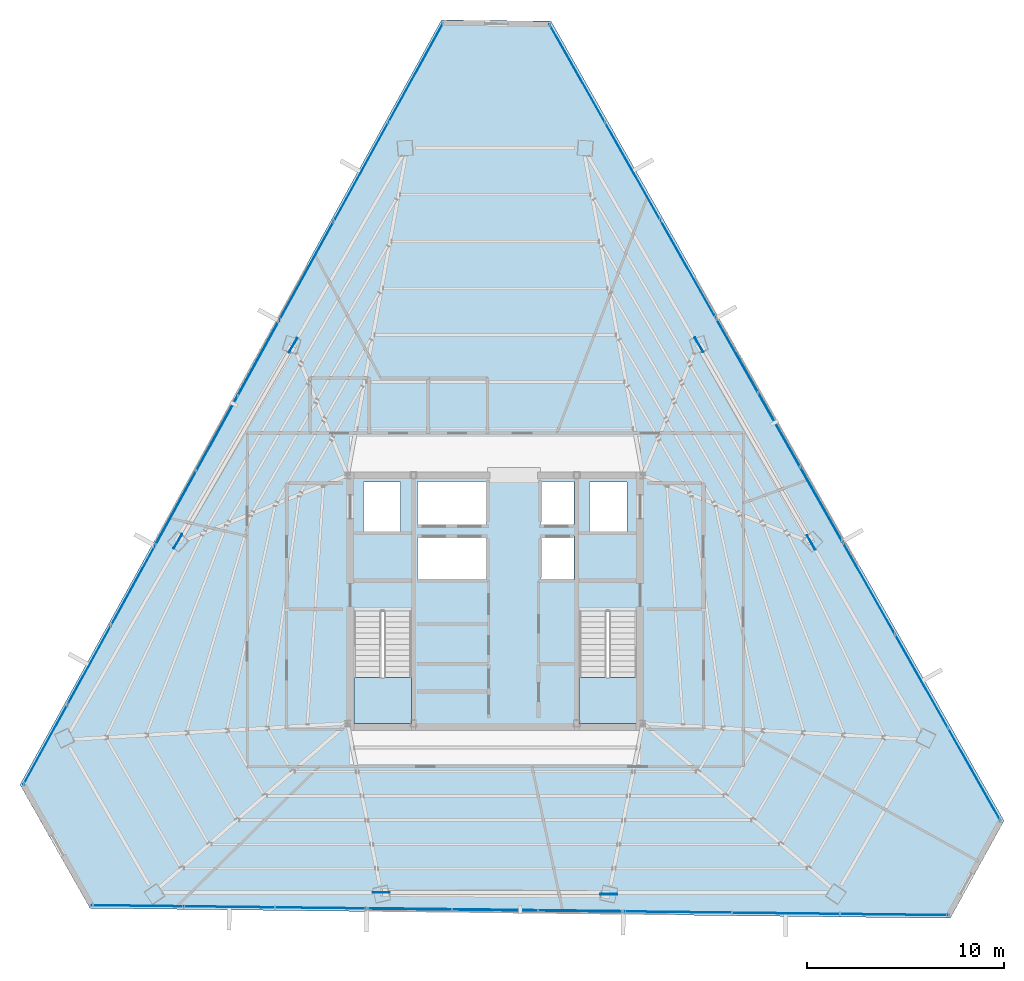
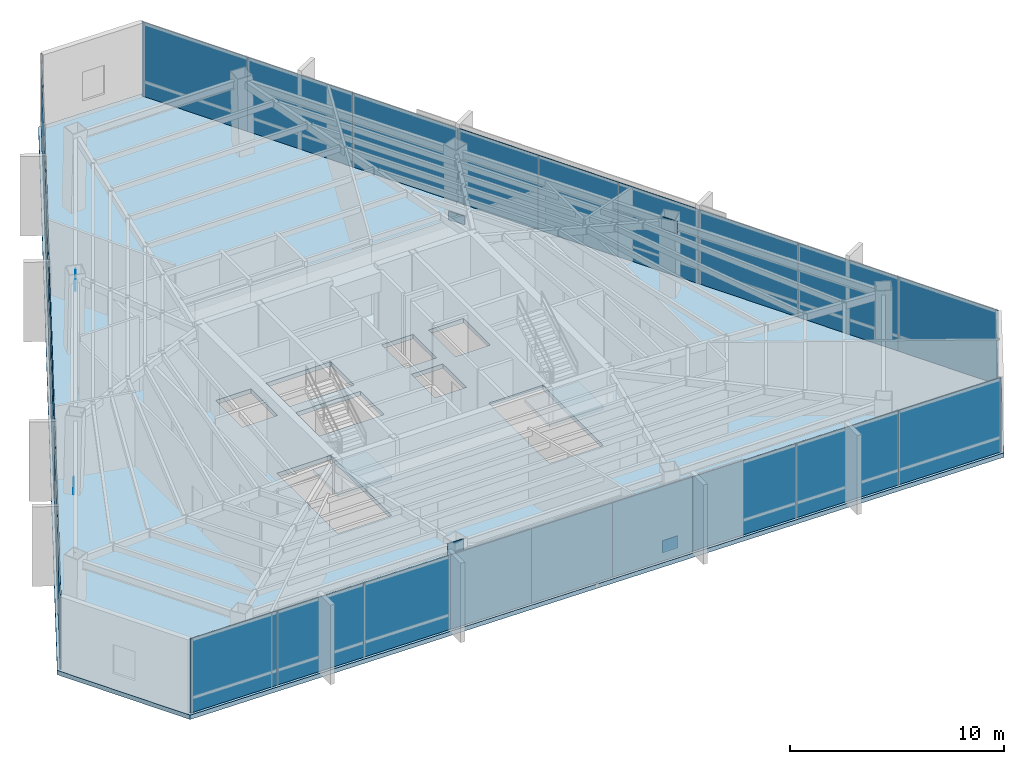
# One storey, part 28 of 37: 33 plates, 3 slabs, 11 elements without a shape of their own.
"""IFC4 building model written with IfcOpenShell, lengths in metres."""

import ifcopenshell
import ifcopenshell.guid

model = None  # the IFC model being written
_history = None  # IfcOwnerHistory: only IFC2X3 demands one
_inside = {}  # id of a spatial element -> (the spatial element, [elements in it])
_under = {}  # id of a project, library or spatial element -> (it, [spatial elements below it])
_declared = {}  # id of a project -> (the project, [libraries it declares])
_typed = {}  # id of a type object -> (the type object, [elements of that type])
_made_of = {}  # id of a material, layer set ... -> (it, [elements and type objects made of it])


def new_model(schema):
    """Start an empty IFC model of exactly this schema.

    Asked for "IFC4X3", IfcOpenShell would pick the latest addendum, in which some entities
    have other attributes; the version numbers below select the first issue.
    IFC2X3 requires an IfcOwnerHistory on every rooted entity: one is made here for all.
    """
    global model, _history
    if schema == "IFC4X3":
        model = ifcopenshell.file(schema_version=(4, 3, 0, 0))
    else:
        model = ifcopenshell.file(schema=schema)
    _inside.clear()
    _under.clear()
    _declared.clear()
    _typed.clear()
    _made_of.clear()
    _history = None
    if model.schema == "IFC2X3":
        org = make("IfcOrganization", Name="unknown")
        user = make(
            "IfcPersonAndOrganization",
            ThePerson=make("IfcPerson", FamilyName="unknown"),
            TheOrganization=org,
        )
        app = make(
            "IfcApplication",
            ApplicationDeveloper=org,
            Version="unknown",
            ApplicationFullName="unknown",
            ApplicationIdentifier="unknown",
        )
        _history = make(
            "IfcOwnerHistory",
            OwningUser=user,
            OwningApplication=app,
            ChangeAction="ADDED",
            CreationDate=0,
        )
    return model


def make(cls, **values):
    """One entity of the class cls with the attributes given. An attribute that is None is left unset."""
    return model.create_entity(
        cls, **{name: value for name, value in values.items() if value is not None}
    )


def rooted(cls, **values):
    """An entity with a GlobalId (a new one), such as an element, a storey or a relation."""
    return make(cls, GlobalId=ifcopenshell.guid.new(), OwnerHistory=_history, **values)


def si_unit(unit_type, name, prefix=None):
    """IfcSIUnit, for example si_unit("LENGTHUNIT", "METRE", prefix="MILLI")."""
    return make("IfcSIUnit", UnitType=unit_type, Prefix=prefix, Name=name)


def assignment(units):
    """IfcUnitAssignment: the units of a project."""
    return None if units is None else make("IfcUnitAssignment", Units=units)


def point(xyz):
    """IfcCartesianPoint."""
    return None if xyz is None else make("IfcCartesianPoint", Coordinates=xyz)


def direction(xyz):
    """IfcDirection."""
    return None if xyz is None else make("IfcDirection", DirectionRatios=xyz)


def frame(location, z_axis=None, x_axis=None):
    """IfcAxis2Placement3D, a coordinate frame: its origin and axes. An axis left out is left unset."""
    return make(
        "IfcAxis2Placement3D",
        Location=point(location),
        Axis=direction(z_axis),
        RefDirection=direction(x_axis),
    )


def frame_2d(location, x_axis=None):
    """IfcAxis2Placement2D, a coordinate frame in the plane: its origin and x axis."""
    return make(
        "IfcAxis2Placement2D", Location=point(location), RefDirection=direction(x_axis)
    )


def origin():
    """The frame at (0, 0, 0) with its axes left unset."""
    return frame((0.0, 0.0, 0.0))


def origin_2d():
    """The frame at (0, 0) in the plane with its x axis left unset."""
    return frame_2d((0.0, 0.0))


def place(relative_to, where):
    """IfcLocalPlacement: puts the frame where relative to a parent placement (None: the world)."""
    return make(
        "IfcLocalPlacement", PlacementRelTo=relative_to, RelativePlacement=where
    )


def context(
    kind, dimensions, precision=None, world=None, true_north=None, identifier=None
):
    """IfcGeometricRepresentationContext, for example the 3D "Model" context."""
    return make(
        "IfcGeometricRepresentationContext",
        ContextIdentifier=identifier,
        ContextType=kind,
        CoordinateSpaceDimension=dimensions,
        Precision=precision,
        WorldCoordinateSystem=world,
        TrueNorth=true_north,
    )


def subcontext(parent, identifier, kind, view, scale=None):
    """IfcGeometricRepresentationSubContext, for example "Body" below "Model"."""
    return make(
        "IfcGeometricRepresentationSubContext",
        ContextIdentifier=identifier,
        ContextType=kind,
        ParentContext=parent,
        TargetScale=scale,
        TargetView=view,
    )


def project(units=None, contexts=None):
    """IfcProject with its units and contexts."""
    return rooted(
        "IfcProject",
        Name="project",
        RepresentationContexts=contexts,
        UnitsInContext=assignment(units),
    )


def spatial(cls, under=None, at=None, **own):
    """A site, building, storey or space (cls), placed at a placement, below another one or the project."""
    s = rooted(cls, ObjectPlacement=at, **own)
    if under is not None:
        _under.setdefault(under.id(), (under, []))[1].append(s)
    return s


def polyline(points):
    """IfcPolyline through the points."""
    return make("IfcPolyline", Points=[point(p) for p in points])


def profile(cls, at=None, kind="AREA", **sizes):
    """A parametric profile (cls). Its sizes go by their IFC names, for example OverallWidth=200.0."""
    return make(cls, ProfileType=kind, Position=at, **sizes)


def rectangle(**sizes):
    """IfcRectangleProfileDef."""
    return profile("IfcRectangleProfileDef", **sizes)


def outline(outer, holes=None, kind="AREA"):
    """IfcArbitraryClosedProfileDef: a profile drawn as a closed curve; with holes, ...WithVoids."""
    if holes is None:
        return make("IfcArbitraryClosedProfileDef", ProfileType=kind, OuterCurve=outer)
    return make(
        "IfcArbitraryProfileDefWithVoids",
        ProfileType=kind,
        OuterCurve=outer,
        InnerCurves=holes,
    )


def extrude(swept, where, along, depth):
    """IfcExtrudedAreaSolid: the profile swept, set in the frame where, extruded along a direction by depth."""
    return make(
        "IfcExtrudedAreaSolid",
        SweptArea=swept,
        Position=where,
        ExtrudedDirection=direction(along),
        Depth=depth,
    )


def shape(context_of_items, identifier, shape_type, items):
    """IfcShapeRepresentation: the items that make up one representation, for example the "Body"."""
    return make(
        "IfcShapeRepresentation",
        ContextOfItems=context_of_items,
        RepresentationIdentifier=identifier,
        RepresentationType=shape_type,
        Items=items,
    )


def source(mapping_origin, context_of_items, identifier, shape_type, items):
    """IfcRepresentationMap: a shape defined once, which mapped items show again and again."""
    return make(
        "IfcRepresentationMap",
        MappingOrigin=mapping_origin,
        MappedRepresentation=shape(context_of_items, identifier, shape_type, items),
    )


def transform(
    local_origin,
    x_axis=None,
    y_axis=None,
    z_axis=None,
    scale=None,
    scale2=None,
    scale3=None,
    uniform=True,
):
    """IfcCartesianTransformationOperator3D, or its non-uniform kind. x_axis, y_axis, z_axis: its Axis1, 2, 3."""
    if uniform:
        return make(
            "IfcCartesianTransformationOperator3D",
            Axis1=direction(x_axis),
            Axis2=direction(y_axis),
            LocalOrigin=point(local_origin),
            Scale=scale,
            Axis3=direction(z_axis),
        )
    return make(
        "IfcCartesianTransformationOperator3DnonUniform",
        Axis1=direction(x_axis),
        Axis2=direction(y_axis),
        LocalOrigin=point(local_origin),
        Scale=scale,
        Axis3=direction(z_axis),
        Scale2=scale2,
        Scale3=scale3,
    )


def mapped(mapping_source, mapping_target):
    """IfcMappedItem: shows the shape of a source again, moved by a transform."""
    return make(
        "IfcMappedItem", MappingSource=mapping_source, MappingTarget=mapping_target
    )


def material(Name=None, Category=None):
    """IfcMaterial."""
    return make("IfcMaterial", Name=Name, Category=Category)


def layer(
    of_material, thickness, ventilated=None, Name=None, Category=None, Priority=None
):
    """IfcMaterialLayer: one layer of a wall or slab, of a material (None: an air gap)."""
    return make(
        "IfcMaterialLayer",
        Material=of_material,
        LayerThickness=thickness,
        IsVentilated=ventilated,
        Name=Name,
        Category=Category,
        Priority=Priority,
    )


def layer_set(layers, Name=None):
    """IfcMaterialLayerSet."""
    return make("IfcMaterialLayerSet", MaterialLayers=layers, LayerSetName=Name)


def made_of(thing, what):
    """Note that an element or type object is made of a material, layer set ...; save() writes the relation."""
    if what is not None:
        _made_of.setdefault(what.id(), (what, []))[1].append(thing)
    return thing


def type_object(cls, material=None, **own):
    """A type object (cls), such as IfcWallType, which elements share."""
    return made_of(rooted(cls, **own), material)


def type_shapes(of_type, sources):
    """Give a type object the sources (RepresentationMaps) that its elements show as mapped items."""
    of_type.RepresentationMaps = sources


def element(
    cls,
    number,
    at=None,
    inside=None,
    cuts=None,
    type_object=None,
    material=None,
    context=None,
    identifier="Body",
    shape_type=None,
    held_by="IfcProductDefinitionShape",
    body=None,
    shapes=None,
    **own,
):
    """One element of the class cls, such as IfcWall. Its Tag is "e" and its number.

    at: its placement. inside: the storey or other place that contains it. cuts: it is an
    opening in that element (IfcRelVoidsElement). A single representation is given by context,
    identifier, shape_type and body (its items); several are given by shapes. held_by: the class
    of the entity that holds the representations. save() writes the other relations.
    """
    e = rooted(cls, Tag="e%d" % number, ObjectPlacement=at, **own)
    if body is not None:
        shapes = [shape(context, identifier, shape_type, body)]
    if shapes is not None:
        e.Representation = make(held_by, Representations=shapes)
    if inside is not None:
        _inside.setdefault(inside.id(), (inside, []))[1].append(e)
    if cuts is not None:
        rooted(
            "IfcRelVoidsElement", RelatingBuildingElement=cuts, RelatedOpeningElement=e
        )
    if type_object is not None:
        _typed.setdefault(type_object.id(), (type_object, []))[1].append(e)
    return made_of(e, material)


def aggregate(whole, parts):
    """IfcRelAggregates: a whole, such as a stair, and the parts it consists of."""
    return rooted("IfcRelAggregates", RelatingObject=whole, RelatedObjects=parts)


def save(model, path):
    """Write the relations noted so far, then the file.

    IfcRelAggregates (storeys below a building ...), IfcRelContainedInSpatialStructure (elements
    in a storey), IfcRelDefinesByType, IfcRelAssociatesMaterial and IfcRelDeclares: one each for
    every whole, place, type object, material and project.
    """
    for whole, parts in _under.values():
        aggregate(whole, parts)
    for where, things in _inside.values():
        rooted(
            "IfcRelContainedInSpatialStructure",
            RelatedElements=things,
            RelatingStructure=where,
        )
    for kind, things in _typed.values():
        rooted("IfcRelDefinesByType", RelatedObjects=things, RelatingType=kind)
    for what, things in _made_of.values():
        rooted("IfcRelAssociatesMaterial", RelatedObjects=things, RelatingMaterial=what)
    for by, libraries in _declared.values():
        rooted("IfcRelDeclares", RelatingContext=by, RelatedDefinitions=libraries)
    model.write(path)


model = new_model("IFC4")

# Units and contexts
model_context = context("Model", 3, precision=1e-05, world=origin(), true_north=direction((0.0, 1.0)))
body_context = subcontext(model_context, "Body", "Model", "MODEL_VIEW")
ifc_project = project(units=[si_unit("LENGTHUNIT", "METRE"), si_unit("AREAUNIT", "SQUARE_METRE"), si_unit("VOLUMEUNIT", "CUBIC_METRE"), si_unit("PLANEANGLEUNIT", "RADIAN"), si_unit("MASSUNIT", "GRAM", prefix="KILO")], contexts=[model_context])

# Site, building, storey
site_placement = place(None, origin())
site = spatial("IfcSite", under=ifc_project, at=site_placement, CompositionType="ELEMENT")
building_placement = place(site_placement, origin())
building = spatial("IfcBuilding", under=site, at=building_placement, Name="Caelisora Broadcast Tower", CompositionType="ELEMENT")
storey_placement = place(building_placement, frame((0.0, 0.0, 225.35009765625)))
storey = spatial("IfcBuildingStorey", under=building, at=storey_placement, Name="L59", CompositionType="ELEMENT", Elevation=225.35009765625)

# Slab
ifc_material_1 = material(Name="Concrete 40 MPa (AS 3600 N40)", Category="concrete")
ifc_layer_1 = layer(ifc_material_1, 0.25, Name="Concrete 40 MPa (AS 3600 N40)")
ifc_layer_set_1 = layer_set([ifc_layer_1], Name="Concrete 40 MPa (AS 3600 N40)")
slab_type_1 = type_object("IfcSlabType", Name="SL04", PredefinedType="FLOOR", material=ifc_layer_set_1)
slab_1_placement = place(storey_placement, frame((0.0, 0.0, -0.25)))
element("IfcSlab", 1, at=slab_1_placement, inside=storey, type_object=slab_type_1, Name="L59 suspended floor SL04", PredefinedType="FLOOR", context=body_context, shape_type="SweptSolid", body=[
    extrude(outline(polyline([(40.840087890625, 53.06591796875), (35.27197265625, 53.1298828125), (13.862060546875, 14.2900390625), (17.4189453125, 8.010986328125), (61.116943359375, 7.50390625), (63.844970703125, 12.451904296875), (40.840087890625, 53.06591796875)]), holes=[polyline([(30.820068359375, 17.39990234375), (33.739990234375, 17.39990234375), (33.739990234375, 23.080078125), (30.820068359375, 23.080078125), (30.820068359375, 17.39990234375)]), polyline([(42.260009765625, 17.39990234375), (45.179931640625, 17.39990234375), (45.179931640625, 23.080078125), (42.260009765625, 23.080078125), (42.260009765625, 17.39990234375)]), polyline([(42.800048828125, 27.14990234375), (44.699951171875, 27.14990234375), (44.699951171875, 29.64990234375), (42.800048828125, 29.64990234375), (42.800048828125, 27.14990234375)]), polyline([(40.300048828125, 24.719970703125), (42.0, 24.719970703125), (42.0, 26.919921875), (40.300048828125, 26.919921875), (40.300048828125, 24.719970703125)]), polyline([(40.300048828125, 27.5), (42.0, 27.5), (42.0, 29.699951171875), (40.300048828125, 29.699951171875), (40.300048828125, 27.5)]), polyline([(34.050048828125, 24.719970703125), (37.550048828125, 24.719970703125), (37.550048828125, 26.919921875), (34.050048828125, 26.919921875), (34.050048828125, 24.719970703125)]), polyline([(34.050048828125, 27.5), (37.550048828125, 27.5), (37.550048828125, 29.699951171875), (34.050048828125, 29.699951171875), (34.050048828125, 27.5)]), polyline([(31.300048828125, 27.14990234375), (33.199951171875, 27.14990234375), (33.199951171875, 29.64990234375), (31.300048828125, 29.64990234375), (31.300048828125, 27.14990234375)])]), origin(), (0.0, 0.0, 1.0), 0.25),
])

# Stair, slab
stair_type_1 = type_object("IfcStairType", Name="ST-1", PredefinedType="HALF_TURN_STAIR", material=ifc_material_1)
stair_1_placement = place(storey_placement, origin())
stair_1 = element("IfcStair", 2, at=stair_1_placement, inside=storey, type_object=stair_type_1, Name="L59 West Fire-Isolated Tower Stair", PredefinedType="HALF_TURN_STAIR")
ifc_layer_2 = layer(ifc_material_1, 0.199951171875, Name="Concrete 40 MPa (AS 3600 N40)")
ifc_layer_set_2 = layer_set([ifc_layer_2], Name="Concrete 40 MPa (AS 3600 N40)")
slab_type_2 = type_object("IfcSlabType", Name="STL-1", PredefinedType="LANDING", material=ifc_layer_set_2)
slab_2_placement = place(storey_placement, frame((0.0, 0.0, 2.0498046875)))
slab_2 = element("IfcSlab", 3, at=slab_2_placement, type_object=slab_type_2, Name="ST-1 landing 1", PredefinedType="LANDING", context=body_context, shape_type="SweptSolid", body=[
    extrude(outline(polyline([(30.820068359375, 19.739990234375), (30.820068359375, 17.39990234375), (33.739990234375, 17.39990234375), (33.739990234375, 19.739990234375), (30.820068359375, 19.739990234375)])), origin(), (0.0, 0.0, 1.0), 0.2001953125),
])
aggregate(stair_1, [slab_2])

stair_type_2 = type_object("IfcStairType", Name="ST-2", PredefinedType="HALF_TURN_STAIR", material=ifc_material_1)
stair_2_placement = place(storey_placement, origin())
stair_2 = element("IfcStair", 4, at=stair_2_placement, inside=storey, type_object=stair_type_2, Name="L59 East Fire-Isolated Tower Stair", PredefinedType="HALF_TURN_STAIR")
slab_3_placement = place(storey_placement, frame((0.0, 0.0, 2.0498046875)))
slab_3 = element("IfcSlab", 5, at=slab_3_placement, type_object=slab_type_2, Name="ST-2 landing 1", PredefinedType="LANDING", context=body_context, shape_type="SweptSolid", body=[
    extrude(outline(polyline([(42.260009765625, 19.739990234375), (42.260009765625, 17.39990234375), (45.179931640625, 17.39990234375), (45.179931640625, 19.739990234375), (42.260009765625, 19.739990234375)])), origin(), (0.0, 0.0, 1.0), 0.2001953125),
])
aggregate(stair_2, [slab_3])

# Plates
ifc_material_2 = material(Name="Steel Grade 350 L15 (AS/NZS 3678)", Category="steel")
ifc_layer_3 = layer(ifc_material_2, 0.0400390625, Name="Steel Grade 350 L15 (AS/NZS 3678)")
ifc_layer_set_3 = layer_set([ifc_layer_3], Name="Steel Grade 350 L15 (AS/NZS 3678)")
plate_type_1 = type_object("IfcPlateType", Name="GP04", PredefinedType="USERDEFINED", material=ifc_layer_set_3)
shared_shape_1 = source(origin(), body_context, "Body", "SweptSolid", [
    extrude(rectangle(XDim=0.85009765625, YDim=0.0400390625, at=origin_2d()), origin(), (0.0, 0.0, 1.0), 0.699951171875),
])
type_shapes(plate_type_1, [shared_shape_1])
for number, where, z_axis, x_axis, name in (
    (6, (27.734375, 36.607421875, 3.580078125), (0.0, 0.0, 1.0), (-0.5, -0.866025403784, 0.0), "L59 gusset plate GP04 (ND-L59-C02T)"),
    (7, (21.8818359375, 26.648681640625, -0.22998046875), (0.0, 0.0, 1.0), (-0.5, -0.866025403784, 0.0), "L59 gusset plate GP04 (ND-L59-C03B)"),
    (8, (32.214599609375, 8.805908203125, 3.580078125), (0.0, 0.0, 1.0), (1.0, 0.0, 0.0), "L59 gusset plate GP04 (ND-L59-C06T)"),
    (9, (43.76513671875, 8.716796875, -0.22998046875), (0.0, 0.0, 1.0), (1.0, 0.0, 0.0), "L59 gusset plate GP04 (ND-L59-C07B)"),
    (10, (54.051025390625, 26.586669921875, 3.580078125), (0.0, 0.0, 1.0), (-0.5, 0.866025403784, 0.0), "L59 gusset plate GP04 (ND-L59-C10T)"),
    (11, (48.352783203125, 36.634521484375, -0.22998046875), (0.0, 0.0, 1.0), (-0.5, 0.866025403784, 0.0), "L59 gusset plate GP04 (ND-L59-C11B)"),
):
    element("IfcPlate", number, at=place(storey_placement, frame(where, z_axis=z_axis, x_axis=x_axis)), inside=storey, type_object=plate_type_1, Name=name, ObjectType="GUSSET PLATE", PredefinedType="USERDEFINED", context=body_context, shape_type="MappedRepresentation", body=[
        mapped(shared_shape_1, transform((0.0, 0.0, 0.0), scale=1.0)),
    ])

# Curtain wall, plates
ifc_material_3 = material(Name="Unitised Aluminium and Low-E Glass Curtain Wall", Category="glass")
curtain_wall_type_1 = type_object("IfcCurtainWallType", Name="CW-SKY", PredefinedType="NOTDEFINED", material=ifc_material_3)
curtain_wall_1_placement = place(storey_placement, origin())
curtain_wall_1 = element("IfcCurtainWall", 12, at=curtain_wall_1_placement, inside=storey, type_object=curtain_wall_type_1, Name="L59 curtain wall CW-SKY", PredefinedType="NOTDEFINED")
ifc_material_4 = material(Name="Double Glazed Low-E Argon IGU", Category="glass")
ifc_layer_4 = layer(ifc_material_4, 0.02587890625, Name="Double Glazed Low-E Argon IGU")
ifc_layer_set_4 = layer_set([ifc_layer_4], Name="Double Glazed Low-E Argon IGU")
plate_type_2 = type_object("IfcPlateType", Name="CWP-07", PredefinedType="CURTAIN_PANEL", material=ifc_layer_set_4)
shared_shape_2 = source(origin(), body_context, "Body", "SweptSolid", [
    extrude(rectangle(XDim=5.719482421875, YDim=0.02587890625, at=origin_2d()), origin(), (0.0, 0.0, 1.0), 4.25),
])
plate_1_placement = place(storey_placement, frame((42.16162109375, 50.4287109375, 0.0), z_axis=(0.0, 0.0, 1.0), x_axis=(0.492879209759, -0.870097744272, 0.0)))
plate_1 = element("IfcPlate", 13, at=plate_1_placement, type_object=plate_type_2, Name="L59-CW-B01 glazed panel #1", PredefinedType="CURTAIN_PANEL", context=body_context, shape_type="MappedRepresentation", body=[
    mapped(shared_shape_2, transform((0.0, 0.0, 0.0), scale=1.0)),
])
plate_2_placement = place(storey_placement, frame((44.98046875, 45.451904296875, 0.0), z_axis=(0.0, 0.0, 1.0), x_axis=(0.492879209759, -0.870097744272, 0.0)))
plate_2 = element("IfcPlate", 14, at=plate_2_placement, type_object=plate_type_2, Name="L59-CW-B01 glazed panel #2", PredefinedType="CURTAIN_PANEL", context=body_context, shape_type="MappedRepresentation", body=[
    mapped(shared_shape_2, transform((0.0, 0.0, 0.0), scale=1.0)),
])
plate_3_placement = place(storey_placement, frame((47.79931640625, 40.475341796875, 0.0), z_axis=(0.0, 0.0, 1.0), x_axis=(0.492879209759, -0.870097744272, 0.0)))
plate_3 = element("IfcPlate", 15, at=plate_3_placement, type_object=plate_type_2, Name="L59-CW-B01 glazed panel #3", PredefinedType="CURTAIN_PANEL", context=body_context, shape_type="MappedRepresentation", body=[
    mapped(shared_shape_2, transform((0.0, 0.0, 0.0), scale=1.0)),
])
aggregate(curtain_wall_1, [plate_1, plate_2, plate_3])

ifc_material_5 = material(Name="Unitised Aluminium Insulated Shadow-Box Spandrel Curtain Wall", Category="aluminium")
curtain_wall_type_2 = type_object("IfcCurtainWallType", Name="CW-SP2", PredefinedType="NOTDEFINED", material=ifc_material_5)
curtain_wall_2_placement = place(storey_placement, origin())
curtain_wall_2 = element("IfcCurtainWall", 16, at=curtain_wall_2_placement, inside=storey, type_object=curtain_wall_type_2, Name="L59 curtain wall CW-SP2", PredefinedType="NOTDEFINED")
ifc_material_6 = material(Name="Insulated Terracotta Shadow-Box Spandrel Panel", Category="aluminium")
ifc_layer_5 = layer(ifc_material_6, 0.0439453125, Name="Insulated Terracotta Shadow-Box Spandrel Panel")
ifc_layer_set_5 = layer_set([ifc_layer_5], Name="Insulated Terracotta Shadow-Box Spandrel Panel")
plate_type_3 = type_object("IfcPlateType", Name="CWP-10", PredefinedType="CURTAIN_PANEL", material=ifc_layer_set_5)
shared_shape_3 = source(origin(), body_context, "Body", "SweptSolid", [
    extrude(rectangle(XDim=4.340087890625, YDim=0.0439453125, at=origin_2d()), origin(), (0.0, 0.0, 1.0), 4.25),
])
plate_4_placement = place(storey_placement, frame((50.283203125, 36.090087890625, 0.0), z_axis=(0.0, 0.0, 1.0), x_axis=(0.492879209759, -0.870097744272, 0.0)))
plate_4 = element("IfcPlate", 17, at=plate_4_placement, type_object=plate_type_3, Name="L59-CW-B02 spandrel panel #1", PredefinedType="CURTAIN_PANEL", context=body_context, shape_type="MappedRepresentation", body=[
    mapped(shared_shape_3, transform((0.0, 0.0, 0.0), scale=1.0)),
])
plate_5_placement = place(storey_placement, frame((52.422119140625, 32.313720703125, 0.0), z_axis=(0.0, 0.0, 1.0), x_axis=(0.492879209759, -0.870097744272, 0.0)))
plate_5 = element("IfcPlate", 18, at=plate_5_placement, type_object=plate_type_3, Name="L59-CW-B02 spandrel panel #2", PredefinedType="CURTAIN_PANEL", context=body_context, shape_type="MappedRepresentation", body=[
    mapped(shared_shape_3, transform((0.0, 0.0, 0.0), scale=1.0)),
])
plate_6_placement = place(storey_placement, frame((54.561279296875, 28.537353515625, 0.0), z_axis=(0.0, 0.0, 1.0), x_axis=(0.492879209759, -0.870097744272, 0.0)))
plate_6 = element("IfcPlate", 19, at=plate_6_placement, type_object=plate_type_3, Name="L59-CW-B02 spandrel panel #3", PredefinedType="CURTAIN_PANEL", context=body_context, shape_type="MappedRepresentation", body=[
    mapped(shared_shape_3, transform((0.0, 0.0, 0.0), scale=1.0)),
])
aggregate(curtain_wall_2, [plate_4, plate_5, plate_6])

curtain_wall_3_placement = place(storey_placement, origin())
curtain_wall_3 = element("IfcCurtainWall", 20, at=curtain_wall_3_placement, inside=storey, type_object=curtain_wall_type_1, Name="L59 curtain wall CW-SKY", PredefinedType="NOTDEFINED")
shared_shape_4 = source(origin(), body_context, "Body", "SweptSolid", [
    extrude(rectangle(XDim=5.435791015625, YDim=0.02587890625, at=origin_2d()), origin(), (0.0, 0.0, 1.0), 4.25),
])
plate_7_placement = place(storey_placement, frame((56.97509765625, 24.275634765625, 0.0), z_axis=(0.0, 0.0, 1.0), x_axis=(0.492879209759, -0.870097744272, 0.0)))
plate_7 = element("IfcPlate", 21, at=plate_7_placement, type_object=plate_type_2, Name="L59-CW-B03 glazed panel #1", PredefinedType="CURTAIN_PANEL", context=body_context, shape_type="MappedRepresentation", body=[
    mapped(shared_shape_4, transform((0.0, 0.0, 0.0), scale=1.0)),
])
plate_8_placement = place(storey_placement, frame((59.654296875, 19.5458984375, 0.0), z_axis=(0.0, 0.0, 1.0), x_axis=(0.492879209759, -0.870097744272, 0.0)))
plate_8 = element("IfcPlate", 22, at=plate_8_placement, type_object=plate_type_2, Name="L59-CW-B03 glazed panel #2", PredefinedType="CURTAIN_PANEL", context=body_context, shape_type="MappedRepresentation", body=[
    mapped(shared_shape_4, transform((0.0, 0.0, 0.0), scale=1.0)),
])
plate_9_placement = place(storey_placement, frame((62.33349609375, 14.81591796875, 0.0), z_axis=(0.0, 0.0, 1.0), x_axis=(0.492879209759, -0.870097744272, 0.0)))
plate_9 = element("IfcPlate", 23, at=plate_9_placement, type_object=plate_type_2, Name="L59-CW-B03 glazed panel #3", PredefinedType="CURTAIN_PANEL", context=body_context, shape_type="MappedRepresentation", body=[
    mapped(shared_shape_4, transform((0.0, 0.0, 0.0), scale=1.0)),
])
aggregate(curtain_wall_3, [plate_7, plate_8, plate_9])

curtain_wall_4_placement = place(storey_placement, origin())
curtain_wall_4 = element("IfcCurtainWall", 24, at=curtain_wall_4_placement, inside=storey, type_object=curtain_wall_type_1, Name="L59 curtain wall CW-SKY", PredefinedType="NOTDEFINED")
shared_shape_5 = source(origin(), body_context, "Body", "SweptSolid", [
    extrude(rectangle(XDim=5.506591796875, YDim=0.02587890625, at=origin_2d()), origin(), (0.0, 0.0, 1.0), 4.25),
])
plate_10_placement = place(storey_placement, frame((58.27587890625, 7.68701171875, 0.0), z_axis=(0.0, 0.0, 1.0), x_axis=(-0.99993365506, 0.011518918316, 0.0)))
plate_10 = element("IfcPlate", 25, at=plate_10_placement, type_object=plate_type_2, Name="L59-CW-B05 glazed panel #1", PredefinedType="CURTAIN_PANEL", context=body_context, shape_type="MappedRepresentation", body=[
    mapped(shared_shape_5, transform((0.0, 0.0, 0.0), scale=1.0)),
])
plate_11_placement = place(storey_placement, frame((52.76953125, 7.750732421875, 0.0), z_axis=(0.0, 0.0, 1.0), x_axis=(-0.99993365506, 0.011518918316, 0.0)))
plate_11 = element("IfcPlate", 26, at=plate_11_placement, type_object=plate_type_2, Name="L59-CW-B05 glazed panel #2", PredefinedType="CURTAIN_PANEL", context=body_context, shape_type="MappedRepresentation", body=[
    mapped(shared_shape_5, transform((0.0, 0.0, 0.0), scale=1.0)),
])
plate_12_placement = place(storey_placement, frame((47.26318359375, 7.814697265625, 0.0), z_axis=(0.0, 0.0, 1.0), x_axis=(-0.99993365506, 0.011518918316, 0.0)))
plate_12 = element("IfcPlate", 27, at=plate_12_placement, type_object=plate_type_2, Name="L59-CW-B05 glazed panel #3", PredefinedType="CURTAIN_PANEL", context=body_context, shape_type="MappedRepresentation", body=[
    mapped(shared_shape_5, transform((0.0, 0.0, 0.0), scale=1.0)),
])
aggregate(curtain_wall_4, [plate_10, plate_11, plate_12])

curtain_wall_5_placement = place(storey_placement, origin())
curtain_wall_5 = element("IfcCurtainWall", 28, at=curtain_wall_5_placement, inside=storey, type_object=curtain_wall_type_2, Name="L59 curtain wall CW-SP2", PredefinedType="NOTDEFINED")
shared_shape_6 = source(origin(), body_context, "Body", "SweptSolid", [
    extrude(rectangle(XDim=4.33984375, YDim=0.0439453125, at=origin_2d()), origin(), (0.0, 0.0, 1.0), 4.25),
])
plate_13_placement = place(storey_placement, frame((42.330322265625, 7.8720703125, 0.0), z_axis=(0.0, 0.0, 1.0), x_axis=(-0.99993365506, 0.011518918316, 0.0)))
plate_13 = element("IfcPlate", 29, at=plate_13_placement, type_object=plate_type_3, Name="L59-CW-B06 spandrel panel #1", PredefinedType="CURTAIN_PANEL", context=body_context, shape_type="MappedRepresentation", body=[
    mapped(shared_shape_6, transform((0.0, 0.0, 0.0), scale=1.0)),
])
plate_14_placement = place(storey_placement, frame((37.99072265625, 7.92236328125, 0.0), z_axis=(0.0, 0.0, 1.0), x_axis=(-0.99993365506, 0.011518918316, 0.0)))
plate_14 = element("IfcPlate", 30, at=plate_14_placement, type_object=plate_type_3, Name="L59-CW-B06 spandrel panel #2", PredefinedType="CURTAIN_PANEL", context=body_context, shape_type="MappedRepresentation", body=[
    mapped(shared_shape_6, transform((0.0, 0.0, 0.0), scale=1.0)),
])
plate_15_placement = place(storey_placement, frame((33.651123046875, 7.97265625, 0.0), z_axis=(0.0, 0.0, 1.0), x_axis=(-0.99993365506, 0.011518918316, 0.0)))
plate_15 = element("IfcPlate", 31, at=plate_15_placement, type_object=plate_type_3, Name="L59-CW-B06 spandrel panel #3", PredefinedType="CURTAIN_PANEL", context=body_context, shape_type="MappedRepresentation", body=[
    mapped(shared_shape_6, transform((0.0, 0.0, 0.0), scale=1.0)),
])
aggregate(curtain_wall_5, [plate_13, plate_14, plate_15])

curtain_wall_6_placement = place(storey_placement, origin())
curtain_wall_6 = element("IfcCurtainWall", 32, at=curtain_wall_6_placement, inside=storey, type_object=curtain_wall_type_1, Name="L59 curtain wall CW-SKY", PredefinedType="NOTDEFINED")
shared_shape_7 = source(origin(), body_context, "Body", "SweptSolid", [
    extrude(rectangle(XDim=4.655029296875, YDim=0.02587890625, at=origin_2d()), origin(), (0.0, 0.0, 1.0), 4.25),
])
plate_16_placement = place(storey_placement, frame((29.14404296875, 8.02490234375, 0.0), z_axis=(0.0, 0.0, 1.0), x_axis=(-0.99993365506, 0.011518918316, 0.0)))
plate_16 = element("IfcPlate", 33, at=plate_16_placement, type_object=plate_type_2, Name="L59-CW-B07 glazed panel #1", PredefinedType="CURTAIN_PANEL", context=body_context, shape_type="MappedRepresentation", body=[
    mapped(shared_shape_7, transform((0.0, 0.0, 0.0), scale=1.0)),
])
plate_17_placement = place(storey_placement, frame((24.4892578125, 8.0791015625, 0.0), z_axis=(0.0, 0.0, 1.0), x_axis=(-0.99993365506, 0.011518918316, 0.0)))
plate_17 = element("IfcPlate", 34, at=plate_17_placement, type_object=plate_type_2, Name="L59-CW-B07 glazed panel #2", PredefinedType="CURTAIN_PANEL", context=body_context, shape_type="MappedRepresentation", body=[
    mapped(shared_shape_7, transform((0.0, 0.0, 0.0), scale=1.0)),
])
plate_18_placement = place(storey_placement, frame((19.83447265625, 8.133056640625, 0.0), z_axis=(0.0, 0.0, 1.0), x_axis=(-0.99993365506, 0.011518918316, 0.0)))
plate_18 = element("IfcPlate", 35, at=plate_18_placement, type_object=plate_type_2, Name="L59-CW-B07 glazed panel #3", PredefinedType="CURTAIN_PANEL", context=body_context, shape_type="MappedRepresentation", body=[
    mapped(shared_shape_7, transform((0.0, 0.0, 0.0), scale=1.0)),
])
aggregate(curtain_wall_6, [plate_16, plate_17, plate_18])

curtain_wall_7_placement = place(storey_placement, origin())
curtain_wall_7 = element("IfcCurtainWall", 36, at=curtain_wall_7_placement, inside=storey, type_object=curtain_wall_type_1, Name="L59 curtain wall CW-SKY", PredefinedType="NOTDEFINED")
shared_shape_8 = source(origin(), body_context, "Body", "SweptSolid", [
    extrude(rectangle(XDim=4.61865234375, YDim=0.02587890625, at=origin_2d()), origin(), (0.0, 0.0, 1.0), 4.25),
])
plate_19_placement = place(storey_placement, frame((15.148681640625, 16.3134765625, 0.0), z_axis=(0.0, 0.0, 1.0), x_axis=(0.482671075992, 0.875801708379, 0.0)))
plate_19 = element("IfcPlate", 37, at=plate_19_placement, type_object=plate_type_2, Name="L59-CW-B09 glazed panel #1", PredefinedType="CURTAIN_PANEL", context=body_context, shape_type="MappedRepresentation", body=[
    mapped(shared_shape_8, transform((0.0, 0.0, 0.0), scale=1.0)),
])
plate_20_placement = place(storey_placement, frame((17.37841796875, 20.358154296875, 0.0), z_axis=(0.0, 0.0, 1.0), x_axis=(0.482671075992, 0.875801708379, 0.0)))
plate_20 = element("IfcPlate", 38, at=plate_20_placement, type_object=plate_type_2, Name="L59-CW-B09 glazed panel #2", PredefinedType="CURTAIN_PANEL", context=body_context, shape_type="MappedRepresentation", body=[
    mapped(shared_shape_8, transform((0.0, 0.0, 0.0), scale=1.0)),
])
plate_21_placement = place(storey_placement, frame((19.608154296875, 24.403076171875, 0.0), z_axis=(0.0, 0.0, 1.0), x_axis=(0.482671075992, 0.875801708379, 0.0)))
plate_21 = element("IfcPlate", 39, at=plate_21_placement, type_object=plate_type_2, Name="L59-CW-B09 glazed panel #3", PredefinedType="CURTAIN_PANEL", context=body_context, shape_type="MappedRepresentation", body=[
    mapped(shared_shape_8, transform((0.0, 0.0, 0.0), scale=1.0)),
])
aggregate(curtain_wall_7, [plate_19, plate_20, plate_21])

curtain_wall_8_placement = place(storey_placement, origin())
curtain_wall_8 = element("IfcCurtainWall", 40, at=curtain_wall_8_placement, inside=storey, type_object=curtain_wall_type_2, Name="L59 curtain wall CW-SP2", PredefinedType="NOTDEFINED")
shared_shape_9 = source(origin(), body_context, "Body", "SweptSolid", [
    extrude(rectangle(XDim=4.33935546875, YDim=0.0439453125, at=origin_2d()), origin(), (0.0, 0.0, 1.0), 4.25),
])
type_shapes(plate_type_3, [shared_shape_3, shared_shape_6, shared_shape_9])
plate_22_placement = place(storey_placement, frame((21.775146484375, 28.334228515625, 0.0), z_axis=(0.0, 0.0, 1.0), x_axis=(0.482671075992, 0.875801708379, 0.0)))
plate_22 = element("IfcPlate", 41, at=plate_22_placement, type_object=plate_type_3, Name="L59-CW-B10 spandrel panel #1", PredefinedType="CURTAIN_PANEL", context=body_context, shape_type="MappedRepresentation", body=[
    mapped(shared_shape_9, transform((0.0, 0.0, 0.0), scale=1.0)),
])
plate_23_placement = place(storey_placement, frame((23.869873046875, 32.134521484375, 0.0), z_axis=(0.0, 0.0, 1.0), x_axis=(0.482671075992, 0.875801708379, 0.0)))
plate_23 = element("IfcPlate", 42, at=plate_23_placement, type_object=plate_type_3, Name="L59-CW-B10 spandrel panel #2", PredefinedType="CURTAIN_PANEL", context=body_context, shape_type="MappedRepresentation", body=[
    mapped(shared_shape_9, transform((0.0, 0.0, 0.0), scale=1.0)),
])
plate_24_placement = place(storey_placement, frame((25.96484375, 35.934814453125, 0.0), z_axis=(0.0, 0.0, 1.0), x_axis=(0.482671075992, 0.875801708379, 0.0)))
plate_24 = element("IfcPlate", 43, at=plate_24_placement, type_object=plate_type_3, Name="L59-CW-B10 spandrel panel #3", PredefinedType="CURTAIN_PANEL", context=body_context, shape_type="MappedRepresentation", body=[
    mapped(shared_shape_9, transform((0.0, 0.0, 0.0), scale=1.0)),
])
aggregate(curtain_wall_8, [plate_22, plate_23, plate_24])

curtain_wall_9_placement = place(storey_placement, origin())
curtain_wall_9 = element("IfcCurtainWall", 44, at=curtain_wall_9_placement, inside=storey, type_object=curtain_wall_type_1, Name="L59 curtain wall CW-SKY", PredefinedType="NOTDEFINED")
shared_shape_10 = source(origin(), body_context, "Body", "SweptSolid", [
    extrude(rectangle(XDim=5.7607421875, YDim=0.02587890625, at=origin_2d()), origin(), (0.0, 0.0, 1.0), 4.25),
])
type_shapes(plate_type_2, [shared_shape_2, shared_shape_4, shared_shape_5, shared_shape_7, shared_shape_8, shared_shape_10])
plate_25_placement = place(storey_placement, frame((28.407470703125, 40.366455078125, 0.0), z_axis=(0.0, 0.0, 1.0), x_axis=(0.482671075992, 0.875801708379, 0.0)))
plate_25 = element("IfcPlate", 45, at=plate_25_placement, type_object=plate_type_2, Name="L59-CW-B11 glazed panel #1", PredefinedType="CURTAIN_PANEL", context=body_context, shape_type="MappedRepresentation", body=[
    mapped(shared_shape_10, transform((0.0, 0.0, 0.0), scale=1.0)),
])
plate_26_placement = place(storey_placement, frame((31.1884765625, 45.411376953125, 0.0), z_axis=(0.0, 0.0, 1.0), x_axis=(0.482671075992, 0.875801708379, 0.0)))
plate_26 = element("IfcPlate", 46, at=plate_26_placement, type_object=plate_type_2, Name="L59-CW-B11 glazed panel #2", PredefinedType="CURTAIN_PANEL", context=body_context, shape_type="MappedRepresentation", body=[
    mapped(shared_shape_10, transform((0.0, 0.0, 0.0), scale=1.0)),
])
plate_27_placement = place(storey_placement, frame((33.969482421875, 50.45654296875, 0.0), z_axis=(0.0, 0.0, 1.0), x_axis=(0.482671075992, 0.875801708379, 0.0)))
plate_27 = element("IfcPlate", 47, at=plate_27_placement, type_object=plate_type_2, Name="L59-CW-B11 glazed panel #3", PredefinedType="CURTAIN_PANEL", context=body_context, shape_type="MappedRepresentation", body=[
    mapped(shared_shape_10, transform((0.0, 0.0, 0.0), scale=1.0)),
])
aggregate(curtain_wall_9, [plate_25, plate_26, plate_27])

save(model, "model.ifc")
